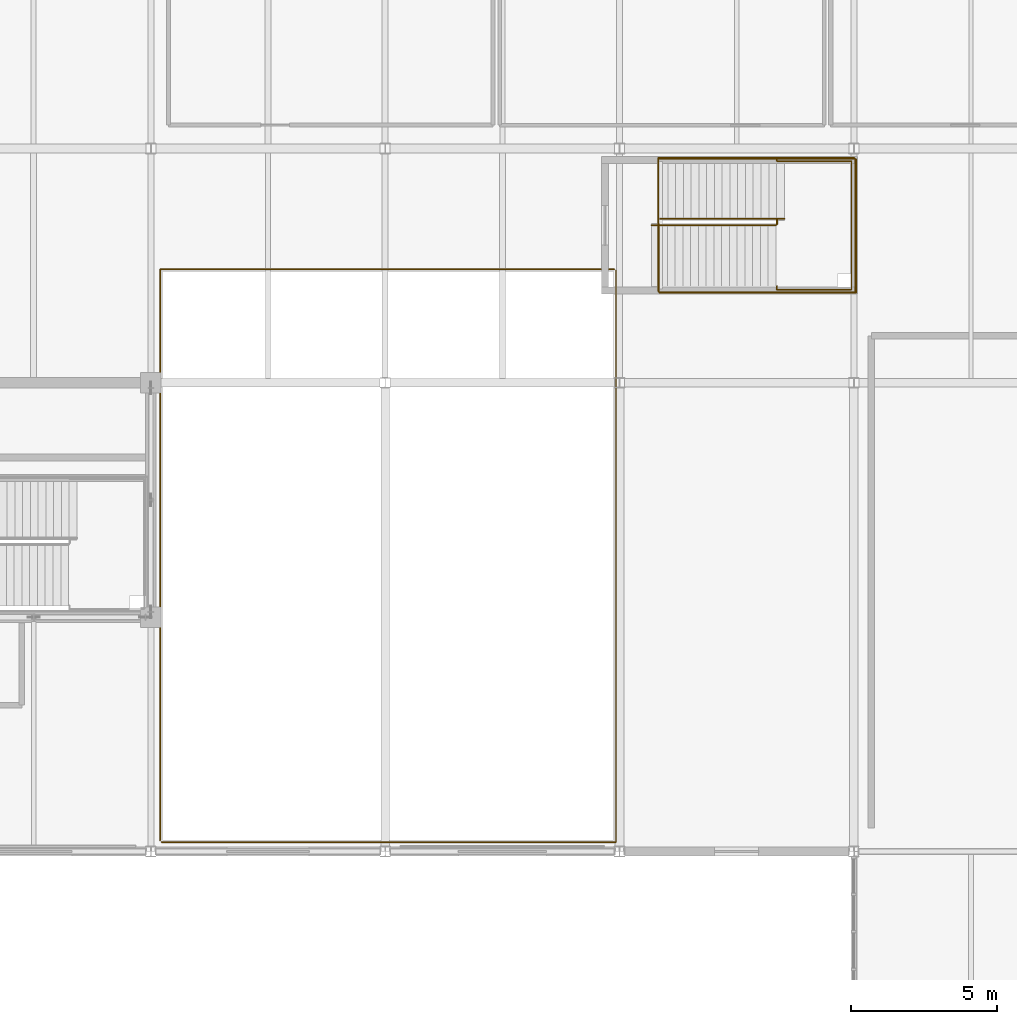
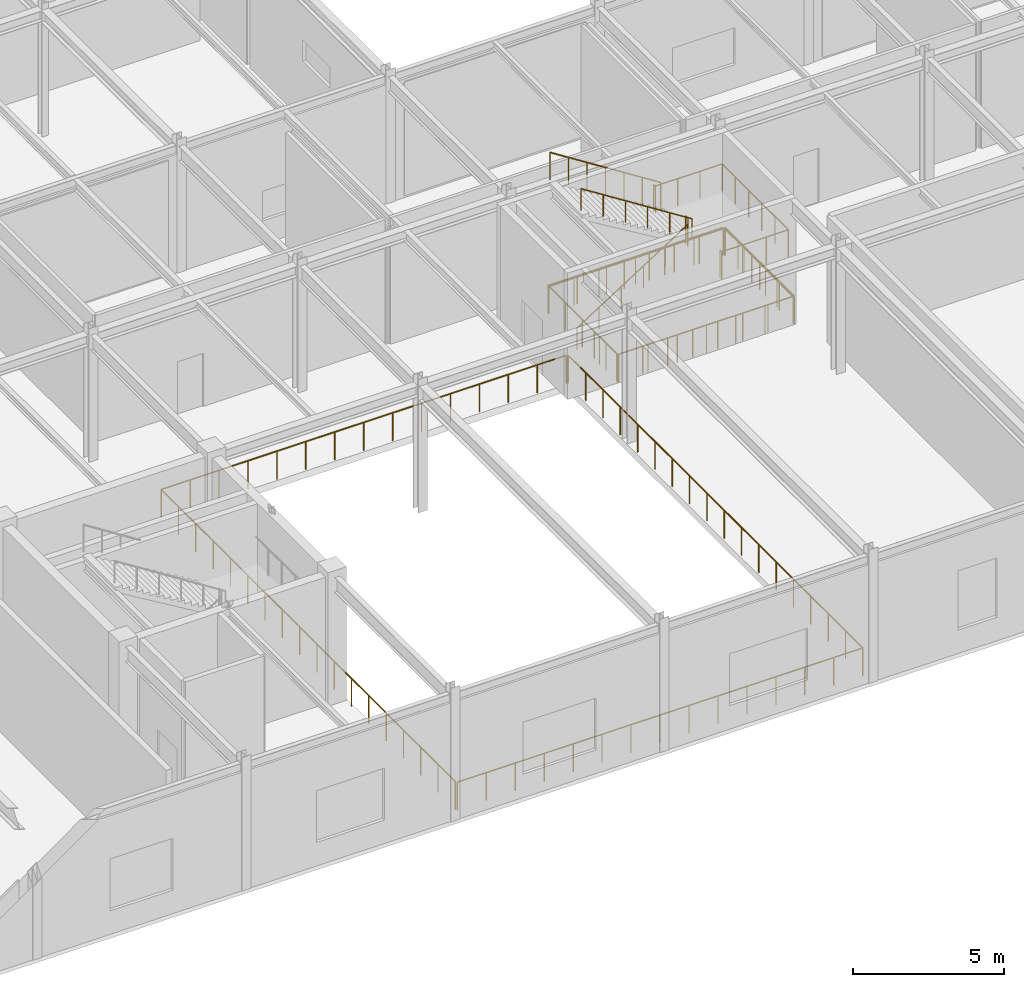
# One storey, part 180 of 184: 10 railings.
"""IFC4 building model written with IfcOpenShell, lengths in metres."""

import ifcopenshell
import ifcopenshell.guid

model = None  # the IFC model being written
_history = None  # IfcOwnerHistory: only IFC2X3 demands one
_inside = {}  # id of a spatial element -> (the spatial element, [elements in it])
_under = {}  # id of a project, library or spatial element -> (it, [spatial elements below it])
_declared = {}  # id of a project -> (the project, [libraries it declares])
_typed = {}  # id of a type object -> (the type object, [elements of that type])
_made_of = {}  # id of a material, layer set ... -> (it, [elements and type objects made of it])


def new_model(schema):
    """Start an empty IFC model of exactly this schema.

    Asked for "IFC4X3", IfcOpenShell would pick the latest addendum, in which some entities
    have other attributes; the version numbers below select the first issue.
    IFC2X3 requires an IfcOwnerHistory on every rooted entity: one is made here for all.
    """
    global model, _history
    if schema == "IFC4X3":
        model = ifcopenshell.file(schema_version=(4, 3, 0, 0))
    else:
        model = ifcopenshell.file(schema=schema)
    _inside.clear()
    _under.clear()
    _declared.clear()
    _typed.clear()
    _made_of.clear()
    _history = None
    if model.schema == "IFC2X3":
        org = make("IfcOrganization", Name="unknown")
        user = make(
            "IfcPersonAndOrganization",
            ThePerson=make("IfcPerson", FamilyName="unknown"),
            TheOrganization=org,
        )
        app = make(
            "IfcApplication",
            ApplicationDeveloper=org,
            Version="unknown",
            ApplicationFullName="unknown",
            ApplicationIdentifier="unknown",
        )
        _history = make(
            "IfcOwnerHistory",
            OwningUser=user,
            OwningApplication=app,
            ChangeAction="ADDED",
            CreationDate=0,
        )
    return model


def make(cls, **values):
    """One entity of the class cls with the attributes given. An attribute that is None is left unset."""
    return model.create_entity(
        cls, **{name: value for name, value in values.items() if value is not None}
    )


def rooted(cls, **values):
    """An entity with a GlobalId (a new one), such as an element, a storey or a relation."""
    return make(cls, GlobalId=ifcopenshell.guid.new(), OwnerHistory=_history, **values)


def si_unit(unit_type, name, prefix=None):
    """IfcSIUnit, for example si_unit("LENGTHUNIT", "METRE", prefix="MILLI")."""
    return make("IfcSIUnit", UnitType=unit_type, Prefix=prefix, Name=name)


def assignment(units):
    """IfcUnitAssignment: the units of a project."""
    return None if units is None else make("IfcUnitAssignment", Units=units)


def point(xyz):
    """IfcCartesianPoint."""
    return None if xyz is None else make("IfcCartesianPoint", Coordinates=xyz)


def direction(xyz):
    """IfcDirection."""
    return None if xyz is None else make("IfcDirection", DirectionRatios=xyz)


def frame(location, z_axis=None, x_axis=None):
    """IfcAxis2Placement3D, a coordinate frame: its origin and axes. An axis left out is left unset."""
    return make(
        "IfcAxis2Placement3D",
        Location=point(location),
        Axis=direction(z_axis),
        RefDirection=direction(x_axis),
    )


def frame_2d(location, x_axis=None):
    """IfcAxis2Placement2D, a coordinate frame in the plane: its origin and x axis."""
    return make(
        "IfcAxis2Placement2D", Location=point(location), RefDirection=direction(x_axis)
    )


def origin():
    """The frame at (0, 0, 0) with its axes left unset."""
    return frame((0.0, 0.0, 0.0))


def origin_2d():
    """The frame at (0, 0) in the plane with its x axis left unset."""
    return frame_2d((0.0, 0.0))


def place(relative_to, where):
    """IfcLocalPlacement: puts the frame where relative to a parent placement (None: the world)."""
    return make(
        "IfcLocalPlacement", PlacementRelTo=relative_to, RelativePlacement=where
    )


def context(
    kind, dimensions, precision=None, world=None, true_north=None, identifier=None
):
    """IfcGeometricRepresentationContext, for example the 3D "Model" context."""
    return make(
        "IfcGeometricRepresentationContext",
        ContextIdentifier=identifier,
        ContextType=kind,
        CoordinateSpaceDimension=dimensions,
        Precision=precision,
        WorldCoordinateSystem=world,
        TrueNorth=true_north,
    )


def subcontext(parent, identifier, kind, view, scale=None):
    """IfcGeometricRepresentationSubContext, for example "Body" below "Model"."""
    return make(
        "IfcGeometricRepresentationSubContext",
        ContextIdentifier=identifier,
        ContextType=kind,
        ParentContext=parent,
        TargetScale=scale,
        TargetView=view,
    )


def project(units=None, contexts=None):
    """IfcProject with its units and contexts."""
    return rooted(
        "IfcProject",
        Name="project",
        RepresentationContexts=contexts,
        UnitsInContext=assignment(units),
    )


def spatial(cls, under=None, at=None, **own):
    """A site, building, storey or space (cls), placed at a placement, below another one or the project."""
    s = rooted(cls, ObjectPlacement=at, **own)
    if under is not None:
        _under.setdefault(under.id(), (under, []))[1].append(s)
    return s


def profile(cls, at=None, kind="AREA", **sizes):
    """A parametric profile (cls). Its sizes go by their IFC names, for example OverallWidth=200.0."""
    return make(cls, ProfileType=kind, Position=at, **sizes)


def circle(**sizes):
    """IfcCircleProfileDef."""
    return profile("IfcCircleProfileDef", **sizes)


def extrude(swept, where, along, depth):
    """IfcExtrudedAreaSolid: the profile swept, set in the frame where, extruded along a direction by depth."""
    return make(
        "IfcExtrudedAreaSolid",
        SweptArea=swept,
        Position=where,
        ExtrudedDirection=direction(along),
        Depth=depth,
    )


def shape(context_of_items, identifier, shape_type, items):
    """IfcShapeRepresentation: the items that make up one representation, for example the "Body"."""
    return make(
        "IfcShapeRepresentation",
        ContextOfItems=context_of_items,
        RepresentationIdentifier=identifier,
        RepresentationType=shape_type,
        Items=items,
    )


def material(Name=None, Category=None):
    """IfcMaterial."""
    return make("IfcMaterial", Name=Name, Category=Category)


def made_of(thing, what):
    """Note that an element or type object is made of a material, layer set ...; save() writes the relation."""
    if what is not None:
        _made_of.setdefault(what.id(), (what, []))[1].append(thing)
    return thing


def type_object(cls, material=None, **own):
    """A type object (cls), such as IfcWallType, which elements share."""
    return made_of(rooted(cls, **own), material)


def element(
    cls,
    number,
    at=None,
    inside=None,
    cuts=None,
    type_object=None,
    material=None,
    context=None,
    identifier="Body",
    shape_type=None,
    held_by="IfcProductDefinitionShape",
    body=None,
    shapes=None,
    **own,
):
    """One element of the class cls, such as IfcWall. Its Tag is "e" and its number.

    at: its placement. inside: the storey or other place that contains it. cuts: it is an
    opening in that element (IfcRelVoidsElement). A single representation is given by context,
    identifier, shape_type and body (its items); several are given by shapes. held_by: the class
    of the entity that holds the representations. save() writes the other relations.
    """
    e = rooted(cls, Tag="e%d" % number, ObjectPlacement=at, **own)
    if body is not None:
        shapes = [shape(context, identifier, shape_type, body)]
    if shapes is not None:
        e.Representation = make(held_by, Representations=shapes)
    if inside is not None:
        _inside.setdefault(inside.id(), (inside, []))[1].append(e)
    if cuts is not None:
        rooted(
            "IfcRelVoidsElement", RelatingBuildingElement=cuts, RelatedOpeningElement=e
        )
    if type_object is not None:
        _typed.setdefault(type_object.id(), (type_object, []))[1].append(e)
    return made_of(e, material)


def aggregate(whole, parts):
    """IfcRelAggregates: a whole, such as a stair, and the parts it consists of."""
    return rooted("IfcRelAggregates", RelatingObject=whole, RelatedObjects=parts)


def save(model, path):
    """Write the relations noted so far, then the file.

    IfcRelAggregates (storeys below a building ...), IfcRelContainedInSpatialStructure (elements
    in a storey), IfcRelDefinesByType, IfcRelAssociatesMaterial and IfcRelDeclares: one each for
    every whole, place, type object, material and project.
    """
    for whole, parts in _under.values():
        aggregate(whole, parts)
    for where, things in _inside.values():
        rooted(
            "IfcRelContainedInSpatialStructure",
            RelatedElements=things,
            RelatingStructure=where,
        )
    for kind, things in _typed.values():
        rooted("IfcRelDefinesByType", RelatedObjects=things, RelatingType=kind)
    for what, things in _made_of.values():
        rooted("IfcRelAssociatesMaterial", RelatedObjects=things, RelatingMaterial=what)
    for by, libraries in _declared.values():
        rooted("IfcRelDeclares", RelatingContext=by, RelatedDefinitions=libraries)
    model.write(path)


model = new_model("IFC4")

# Units and contexts
model_context = context("Model", 3, precision=1e-05, world=origin(), true_north=direction((0.0, 1.0)))
body_context = subcontext(model_context, "Body", "Model", "MODEL_VIEW")
ifc_project = project(units=[si_unit("LENGTHUNIT", "METRE"), si_unit("AREAUNIT", "SQUARE_METRE"), si_unit("VOLUMEUNIT", "CUBIC_METRE"), si_unit("PLANEANGLEUNIT", "RADIAN"), si_unit("MASSUNIT", "GRAM", prefix="KILO")], contexts=[model_context])

# Site, building, storey
site_placement = place(None, origin())
site = spatial("IfcSite", under=ifc_project, at=site_placement, CompositionType="ELEMENT")
building_placement = place(site_placement, origin())
building = spatial("IfcBuilding", under=site, at=building_placement, Name="Zhaolan Boulevard Law Courts", CompositionType="ELEMENT")
storey_placement = place(building_placement, frame((0.0, 0.0, 5.39990234375)))
storey = spatial("IfcBuildingStorey", under=building, at=storey_placement, Name="L01", CompositionType="ELEMENT", Elevation=5.39990234375)

# Railings
ifc_material_1 = material(Name="Powder-coated steel and tempered laminated glass", Category="steel")
railing_type_1 = type_object("IfcRailingType", Name="INTERIOR GUARDRAIL 1150", PredefinedType="GUARDRAIL", material=ifc_material_1)
railing_1_placement = place(storey_placement, frame((109.360107421875, 81.070068359375, 0.0)))
element("IfcRailing", 1, at=railing_1_placement, inside=storey, type_object=railing_type_1, Name="Atrium Gallery Guardrail VG-1-V2-4A", PredefinedType="GUARDRAIL", context=body_context, shape_type="SweptSolid", body=[
    extrude(circle(Radius=0.02490234375, at=origin_2d()), frame((0.0, 0.0, 1.125), z_axis=(1.0, 0.0, 0.0), x_axis=(0.0, 1.0, 0.0)), (0.0, 0.0, 1.0), 6.719970703125),
    extrude(circle(Radius=0.02490234375, at=origin_2d()), frame((6.719970703125, 0.0, 1.125), z_axis=(0.0, 1.0, 0.0), x_axis=(-1.0, 0.0, 0.0)), (0.0, 0.0, 1.0), 4.56982421875),
    extrude(circle(Radius=0.02099609375, at=origin_2d()), origin(), (0.0, 0.0, 1.0), 1.099853515625),
    extrude(circle(Radius=0.02099609375, at=origin_2d()), frame((1.1201171875, 0.0, 0.0)), (0.0, 0.0, 1.0), 1.099853515625),
    extrude(circle(Radius=0.02099609375, at=origin_2d()), frame((2.239990234375, 0.0, 0.0)), (0.0, 0.0, 1.0), 1.099853515625),
    extrude(circle(Radius=0.02099609375, at=origin_2d()), frame((3.35986328125, 0.0, 0.0)), (0.0, 0.0, 1.0), 1.099853515625),
    extrude(circle(Radius=0.02099609375, at=origin_2d()), frame((4.47998046875, 0.0, 0.0)), (0.0, 0.0, 1.0), 1.099853515625),
    extrude(circle(Radius=0.02099609375, at=origin_2d()), frame((5.60009765625, 0.0, 0.0)), (0.0, 0.0, 1.0), 1.099853515625),
    extrude(circle(Radius=0.02099609375, at=origin_2d()), frame((6.719970703125, 0.0, 0.0)), (0.0, 0.0, 1.0), 1.099853515625),
    extrude(circle(Radius=0.02099609375, at=origin_2d()), frame((6.719970703125, 1.142578125, 0.0)), (0.0, 0.0, 1.0), 1.099853515625),
    extrude(circle(Radius=0.02099609375, at=origin_2d()), frame((6.719970703125, 2.284912109375, 0.0)), (0.0, 0.0, 1.0), 1.099853515625),
    extrude(circle(Radius=0.02099609375, at=origin_2d()), frame((6.719970703125, 3.42724609375, 0.0)), (0.0, 0.0, 1.0), 1.099853515625),
    extrude(circle(Radius=0.02099609375, at=origin_2d()), frame((6.719970703125, 4.56982421875, 0.0)), (0.0, 0.0, 1.0), 1.099853515625),
])
railing_2_placement = place(storey_placement, frame((116.02001953125, 85.679931640625, 0.0)))
element("IfcRailing", 2, at=railing_2_placement, inside=storey, type_object=railing_type_1, Name="Atrium Gallery Guardrail VG-1-V2-4B", PredefinedType="GUARDRAIL", context=body_context, shape_type="SweptSolid", body=[
    extrude(circle(Radius=0.02490234375, at=origin_2d()), frame((0.0, 0.0, 1.125), z_axis=(-1.0, 0.0, 0.0), x_axis=(0.0, -1.0, 0.0)), (0.0, 0.0, 1.0), 6.699951171875),
    extrude(circle(Radius=0.02490234375, at=origin_2d()), frame((-6.699951171875, 0.0, 1.125), z_axis=(0.0, -1.0, 0.0), x_axis=(1.0, 0.0, 0.0)), (0.0, 0.0, 1.0), 4.550048828125),
    extrude(circle(Radius=0.02099609375, at=origin_2d()), origin(), (0.0, 0.0, 1.0), 1.099853515625),
    extrude(circle(Radius=0.02099609375, at=origin_2d()), frame((-1.11669921875, 0.0, 0.0)), (0.0, 0.0, 1.0), 1.099853515625),
    extrude(circle(Radius=0.02099609375, at=origin_2d()), frame((-2.2333984375, 0.0, 0.0)), (0.0, 0.0, 1.0), 1.099853515625),
    extrude(circle(Radius=0.02099609375, at=origin_2d()), frame((-3.35009765625, 0.0, 0.0)), (0.0, 0.0, 1.0), 1.099853515625),
    extrude(circle(Radius=0.02099609375, at=origin_2d()), frame((-4.466552734375, 0.0, 0.0)), (0.0, 0.0, 1.0), 1.099853515625),
    extrude(circle(Radius=0.02099609375, at=origin_2d()), frame((-5.583251953125, 0.0, 0.0)), (0.0, 0.0, 1.0), 1.099853515625),
    extrude(circle(Radius=0.02099609375, at=origin_2d()), frame((-6.699951171875, 0.0, 0.0)), (0.0, 0.0, 1.0), 1.099853515625),
    extrude(circle(Radius=0.02099609375, at=origin_2d()), frame((-6.699951171875, -1.137451171875, 0.0)), (0.0, 0.0, 1.0), 1.099853515625),
    extrude(circle(Radius=0.02099609375, at=origin_2d()), frame((-6.699951171875, -2.27490234375, 0.0)), (0.0, 0.0, 1.0), 1.099853515625),
    extrude(circle(Radius=0.02099609375, at=origin_2d()), frame((-6.699951171875, -3.41259765625, 0.0)), (0.0, 0.0, 1.0), 1.099853515625),
    extrude(circle(Radius=0.02099609375, at=origin_2d()), frame((-6.699951171875, -4.550048828125, 0.0)), (0.0, 0.0, 1.0), 1.099853515625),
])
railing_3_placement = place(storey_placement, frame((92.360107421875, 62.320068359375, 0.0)))
element("IfcRailing", 3, at=railing_3_placement, inside=storey, type_object=railing_type_1, Name="Atrium Gallery Guardrail VG-1-V2-6A", PredefinedType="GUARDRAIL", context=body_context, shape_type="SweptSolid", body=[
    extrude(circle(Radius=0.02490234375, at=origin_2d()), frame((0.0, 0.0, 1.125), z_axis=(1.0, 0.0, 0.0), x_axis=(0.0, 1.0, 0.0)), (0.0, 0.0, 1.0), 15.519775390625),
    extrude(circle(Radius=0.02490234375, at=origin_2d()), frame((15.519775390625, 0.0, 1.125), z_axis=(0.0, 1.0, 0.0), x_axis=(-1.0, 0.0, 0.0)), (0.0, 0.0, 1.0), 19.52001953125),
    extrude(circle(Radius=0.02099609375, at=origin_2d()), origin(), (0.0, 0.0, 1.0), 1.099853515625),
    extrude(circle(Radius=0.02099609375, at=origin_2d()), frame((1.108642578125, 0.0, 0.0)), (0.0, 0.0, 1.0), 1.099853515625),
    extrude(circle(Radius=0.02099609375, at=origin_2d()), frame((2.217041015625, 0.0, 0.0)), (0.0, 0.0, 1.0), 1.099853515625),
    extrude(circle(Radius=0.02099609375, at=origin_2d()), frame((3.32568359375, 0.0, 0.0)), (0.0, 0.0, 1.0), 1.099853515625),
    extrude(circle(Radius=0.02099609375, at=origin_2d()), frame((4.434326171875, 0.0, 0.0)), (0.0, 0.0, 1.0), 1.099853515625),
    extrude(circle(Radius=0.02099609375, at=origin_2d()), frame((5.542724609375, 0.0, 0.0)), (0.0, 0.0, 1.0), 1.099853515625),
    extrude(circle(Radius=0.02099609375, at=origin_2d()), frame((6.6513671875, 0.0, 0.0)), (0.0, 0.0, 1.0), 1.099853515625),
    extrude(circle(Radius=0.02099609375, at=origin_2d()), frame((7.759765625, 0.0, 0.0)), (0.0, 0.0, 1.0), 1.099853515625),
    extrude(circle(Radius=0.02099609375, at=origin_2d()), frame((8.868408203125, 0.0, 0.0)), (0.0, 0.0, 1.0), 1.099853515625),
    extrude(circle(Radius=0.02099609375, at=origin_2d()), frame((9.97705078125, 0.0, 0.0)), (0.0, 0.0, 1.0), 1.099853515625),
    extrude(circle(Radius=0.02099609375, at=origin_2d()), frame((11.08544921875, 0.0, 0.0)), (0.0, 0.0, 1.0), 1.099853515625),
    extrude(circle(Radius=0.02099609375, at=origin_2d()), frame((12.194091796875, 0.0, 0.0)), (0.0, 0.0, 1.0), 1.099853515625),
    extrude(circle(Radius=0.02099609375, at=origin_2d()), frame((13.302734375, 0.0, 0.0)), (0.0, 0.0, 1.0), 1.099853515625),
    extrude(circle(Radius=0.02099609375, at=origin_2d()), frame((14.4111328125, 0.0, 0.0)), (0.0, 0.0, 1.0), 1.099853515625),
    extrude(circle(Radius=0.02099609375, at=origin_2d()), frame((15.519775390625, 0.0, 0.0)), (0.0, 0.0, 1.0), 1.099853515625),
    extrude(circle(Radius=0.02099609375, at=origin_2d()), frame((15.519775390625, 1.148193359375, 0.0)), (0.0, 0.0, 1.0), 1.099853515625),
    extrude(circle(Radius=0.02099609375, at=origin_2d()), frame((15.519775390625, 2.29638671875, 0.0)), (0.0, 0.0, 1.0), 1.099853515625),
    extrude(circle(Radius=0.02099609375, at=origin_2d()), frame((15.519775390625, 3.44482421875, 0.0)), (0.0, 0.0, 1.0), 1.099853515625),
    extrude(circle(Radius=0.02099609375, at=origin_2d()), frame((15.519775390625, 4.593017578125, 0.0)), (0.0, 0.0, 1.0), 1.099853515625),
    extrude(circle(Radius=0.02099609375, at=origin_2d()), frame((15.519775390625, 5.7412109375, 0.0)), (0.0, 0.0, 1.0), 1.099853515625),
    extrude(circle(Radius=0.02099609375, at=origin_2d()), frame((15.519775390625, 6.889404296875, 0.0)), (0.0, 0.0, 1.0), 1.099853515625),
    extrude(circle(Radius=0.02099609375, at=origin_2d()), frame((15.519775390625, 8.03759765625, 0.0)), (0.0, 0.0, 1.0), 1.099853515625),
    extrude(circle(Radius=0.02099609375, at=origin_2d()), frame((15.519775390625, 9.185791015625, 0.0)), (0.0, 0.0, 1.0), 1.099853515625),
    extrude(circle(Radius=0.02099609375, at=origin_2d()), frame((15.519775390625, 10.334228515625, 0.0)), (0.0, 0.0, 1.0), 1.099853515625),
    extrude(circle(Radius=0.02099609375, at=origin_2d()), frame((15.519775390625, 11.482421875, 0.0)), (0.0, 0.0, 1.0), 1.099853515625),
    extrude(circle(Radius=0.02099609375, at=origin_2d()), frame((15.519775390625, 12.630615234375, 0.0)), (0.0, 0.0, 1.0), 1.099853515625),
    extrude(circle(Radius=0.02099609375, at=origin_2d()), frame((15.519775390625, 13.77880859375, 0.0)), (0.0, 0.0, 1.0), 1.099853515625),
    extrude(circle(Radius=0.02099609375, at=origin_2d()), frame((15.519775390625, 14.927001953125, 0.0)), (0.0, 0.0, 1.0), 1.099853515625),
    extrude(circle(Radius=0.02099609375, at=origin_2d()), frame((15.519775390625, 16.0751953125, 0.0)), (0.0, 0.0, 1.0), 1.099853515625),
    extrude(circle(Radius=0.02099609375, at=origin_2d()), frame((15.519775390625, 17.2236328125, 0.0)), (0.0, 0.0, 1.0), 1.099853515625),
    extrude(circle(Radius=0.02099609375, at=origin_2d()), frame((15.519775390625, 18.371826171875, 0.0)), (0.0, 0.0, 1.0), 1.099853515625),
    extrude(circle(Radius=0.02099609375, at=origin_2d()), frame((15.519775390625, 19.52001953125, 0.0)), (0.0, 0.0, 1.0), 1.099853515625),
])
railing_4_placement = place(storey_placement, frame((107.820068359375, 81.8798828125, 0.0)))
element("IfcRailing", 4, at=railing_4_placement, inside=storey, type_object=railing_type_1, Name="Atrium Gallery Guardrail VG-1-V2-6B", PredefinedType="GUARDRAIL", context=body_context, shape_type="SweptSolid", body=[
    extrude(circle(Radius=0.02490234375, at=origin_2d()), frame((0.0, 0.0, 1.125), z_axis=(-1.0, 0.0, 0.0), x_axis=(0.0, -1.0, 0.0)), (0.0, 0.0, 1.0), 15.5),
    extrude(circle(Radius=0.02490234375, at=origin_2d()), frame((-15.5, 0.0, 1.125), z_axis=(0.0, -1.0, 0.0), x_axis=(1.0, 0.0, 0.0)), (0.0, 0.0, 1.0), 19.5),
    extrude(circle(Radius=0.02099609375, at=origin_2d()), origin(), (0.0, 0.0, 1.0), 1.099853515625),
    extrude(circle(Radius=0.02099609375, at=origin_2d()), frame((-1.107177734375, 0.0, 0.0)), (0.0, 0.0, 1.0), 1.099853515625),
    extrude(circle(Radius=0.02099609375, at=origin_2d()), frame((-2.21435546875, 0.0, 0.0)), (0.0, 0.0, 1.0), 1.099853515625),
    extrude(circle(Radius=0.02099609375, at=origin_2d()), frame((-3.321533203125, 0.0, 0.0)), (0.0, 0.0, 1.0), 1.099853515625),
    extrude(circle(Radius=0.02099609375, at=origin_2d()), frame((-4.428466796875, 0.0, 0.0)), (0.0, 0.0, 1.0), 1.099853515625),
    extrude(circle(Radius=0.02099609375, at=origin_2d()), frame((-5.53564453125, 0.0, 0.0)), (0.0, 0.0, 1.0), 1.099853515625),
    extrude(circle(Radius=0.02099609375, at=origin_2d()), frame((-6.642822265625, 0.0, 0.0)), (0.0, 0.0, 1.0), 1.099853515625),
    extrude(circle(Radius=0.02099609375, at=origin_2d()), frame((-7.75, 0.0, 0.0)), (0.0, 0.0, 1.0), 1.099853515625),
    extrude(circle(Radius=0.02099609375, at=origin_2d()), frame((-8.857177734375, 0.0, 0.0)), (0.0, 0.0, 1.0), 1.099853515625),
    extrude(circle(Radius=0.02099609375, at=origin_2d()), frame((-9.96435546875, 0.0, 0.0)), (0.0, 0.0, 1.0), 1.099853515625),
    extrude(circle(Radius=0.02099609375, at=origin_2d()), frame((-11.071533203125, 0.0, 0.0)), (0.0, 0.0, 1.0), 1.099853515625),
    extrude(circle(Radius=0.02099609375, at=origin_2d()), frame((-12.178466796875, 0.0, 0.0)), (0.0, 0.0, 1.0), 1.099853515625),
    extrude(circle(Radius=0.02099609375, at=origin_2d()), frame((-13.28564453125, 0.0, 0.0)), (0.0, 0.0, 1.0), 1.099853515625),
    extrude(circle(Radius=0.02099609375, at=origin_2d()), frame((-14.392822265625, 0.0, 0.0)), (0.0, 0.0, 1.0), 1.099853515625),
    extrude(circle(Radius=0.02099609375, at=origin_2d()), frame((-15.5, 0.0, 0.0)), (0.0, 0.0, 1.0), 1.099853515625),
    extrude(circle(Radius=0.02099609375, at=origin_2d()), frame((-15.5, -1.14697265625, 0.0)), (0.0, 0.0, 1.0), 1.099853515625),
    extrude(circle(Radius=0.02099609375, at=origin_2d()), frame((-15.5, -2.294189453125, 0.0)), (0.0, 0.0, 1.0), 1.099853515625),
    extrude(circle(Radius=0.02099609375, at=origin_2d()), frame((-15.5, -3.441162109375, 0.0)), (0.0, 0.0, 1.0), 1.099853515625),
    extrude(circle(Radius=0.02099609375, at=origin_2d()), frame((-15.5, -4.588134765625, 0.0)), (0.0, 0.0, 1.0), 1.099853515625),
    extrude(circle(Radius=0.02099609375, at=origin_2d()), frame((-15.5, -5.7353515625, 0.0)), (0.0, 0.0, 1.0), 1.099853515625),
    extrude(circle(Radius=0.02099609375, at=origin_2d()), frame((-15.5, -6.88232421875, 0.0)), (0.0, 0.0, 1.0), 1.099853515625),
    extrude(circle(Radius=0.02099609375, at=origin_2d()), frame((-15.5, -8.029296875, 0.0)), (0.0, 0.0, 1.0), 1.099853515625),
    extrude(circle(Radius=0.02099609375, at=origin_2d()), frame((-15.5, -9.176513671875, 0.0)), (0.0, 0.0, 1.0), 1.099853515625),
    extrude(circle(Radius=0.02099609375, at=origin_2d()), frame((-15.5, -10.323486328125, 0.0)), (0.0, 0.0, 1.0), 1.099853515625),
    extrude(circle(Radius=0.02099609375, at=origin_2d()), frame((-15.5, -11.470703125, 0.0)), (0.0, 0.0, 1.0), 1.099853515625),
    extrude(circle(Radius=0.02099609375, at=origin_2d()), frame((-15.5, -12.61767578125, 0.0)), (0.0, 0.0, 1.0), 1.099853515625),
    extrude(circle(Radius=0.02099609375, at=origin_2d()), frame((-15.5, -13.7646484375, 0.0)), (0.0, 0.0, 1.0), 1.099853515625),
    extrude(circle(Radius=0.02099609375, at=origin_2d()), frame((-15.5, -14.911865234375, 0.0)), (0.0, 0.0, 1.0), 1.099853515625),
    extrude(circle(Radius=0.02099609375, at=origin_2d()), frame((-15.5, -16.058837890625, 0.0)), (0.0, 0.0, 1.0), 1.099853515625),
    extrude(circle(Radius=0.02099609375, at=origin_2d()), frame((-15.5, -17.205810546875, 0.0)), (0.0, 0.0, 1.0), 1.099853515625),
    extrude(circle(Radius=0.02099609375, at=origin_2d()), frame((-15.5, -18.35302734375, 0.0)), (0.0, 0.0, 1.0), 1.099853515625),
    extrude(circle(Radius=0.02099609375, at=origin_2d()), frame((-15.5, -19.5, 0.0)), (0.0, 0.0, 1.0), 1.099853515625),
])
ifc_material_2 = material(Name="Brushed stainless steel tubular handrail", Category="steel")
railing_type_2 = type_object("IfcRailingType", Name="STAIR HANDRAIL 900", PredefinedType="HANDRAIL", material=ifc_material_2)
railing_5_placement = place(storey_placement, frame((109.10009765625, 83.3798828125, 0.0)))
element("IfcRailing", 5, at=railing_5_placement, inside=storey, type_object=railing_type_2, Name="Stair Handrail HR-ST13-L01-1", PredefinedType="HANDRAIL", context=body_context, shape_type="SweptSolid", body=[
    extrude(circle(Radius=0.0224609375, at=origin_2d()), frame((0.0, 0.0, 0.87744140625), z_axis=(0.843479452326, 0.0, 0.53716144082), x_axis=(0.0, 1.0, 0.0)), (0.0, 0.0, 1.0), 5.02685546875),
    extrude(circle(Radius=0.01904296875, at=origin_2d()), origin(), (0.0, 0.0, 1.0), 0.85498046875),
    extrude(circle(Radius=0.01904296875, at=origin_2d()), frame((0.847900390625, 0.0, 0.5400390625)), (0.0, 0.0, 1.0), 0.85498046875),
    extrude(circle(Radius=0.01904296875, at=origin_2d()), frame((1.696044921875, 0.0, 1.080078125)), (0.0, 0.0, 1.0), 0.85498046875),
    extrude(circle(Radius=0.01904296875, at=origin_2d()), frame((2.5439453125, 0.0, 1.6201171875)), (0.0, 0.0, 1.0), 0.85498046875),
    extrude(circle(Radius=0.01904296875, at=origin_2d()), frame((3.39208984375, 0.0, 2.16015625)), (0.0, 0.0, 1.0), 0.85498046875),
    extrude(circle(Radius=0.01904296875, at=origin_2d()), frame((4.239990234375, 0.0, 2.7001953125)), (0.0, 0.0, 1.0), 0.85498046875),
])
railing_6_placement = place(storey_placement, frame((113.625, 83.60009765625, 2.7001953125)))
element("IfcRailing", 6, at=railing_6_placement, inside=storey, type_object=railing_type_2, Name="Stair Handrail HR-ST13-L01-2", PredefinedType="HANDRAIL", context=body_context, shape_type="SweptSolid", body=[
    extrude(circle(Radius=0.0224609375, at=origin_2d()), frame((0.0, 0.0, 0.87744140625), z_axis=(-0.843501457581, 0.0, 0.537126885437), x_axis=(0.0, -1.0, 0.0)), (0.0, 0.0, 1.0), 5.026611328125),
    extrude(circle(Radius=0.01904296875, at=origin_2d()), origin(), (0.0, 0.0, 1.0), 0.85498046875),
    extrude(circle(Radius=0.01904296875, at=origin_2d()), frame((-0.847900390625, 0.0, 0.5400390625)), (0.0, 0.0, 1.0), 0.85498046875),
    extrude(circle(Radius=0.01904296875, at=origin_2d()), frame((-1.696044921875, 0.0, 1.080078125)), (0.0, 0.0, 1.0), 0.85498046875),
    extrude(circle(Radius=0.01904296875, at=origin_2d()), frame((-2.5439453125, 0.0, 1.619873046875)), (0.0, 0.0, 1.0), 0.85498046875),
    extrude(circle(Radius=0.01904296875, at=origin_2d()), frame((-3.39208984375, 0.0, 2.159912109375)), (0.0, 0.0, 1.0), 0.85498046875),
    extrude(circle(Radius=0.01904296875, at=origin_2d()), frame((-4.239990234375, 0.0, 2.699951171875)), (0.0, 0.0, 1.0), 0.85498046875),
])
ifc_material_3 = material(Name="Powder-coated steel baluster guardrail", Category="steel")
railing_type_3 = type_object("IfcRailingType", Name="STAIR WELL GUARDRAIL 1120", PredefinedType="GUARDRAIL", material=ifc_material_3)
railing_7_placement = place(storey_placement, frame((109.340087890625, 83.429931640625, 0.0)))
element("IfcRailing", 7, at=railing_7_placement, inside=storey, type_object=railing_type_3, Name="Stair-Well Floor Guardrail WG-ST13-L00", PredefinedType="GUARDRAIL", context=body_context, shape_type="SweptSolid", body=[
    extrude(circle(Radius=0.02392578125, at=origin_2d()), frame((0.0, 0.0, 1.09619140625), z_axis=(0.0, -1.0, 0.0), x_axis=(1.0, 0.0, 0.0)), (0.0, 0.0, 1.0), 2.329833984375),
    extrude(circle(Radius=0.02392578125, at=origin_2d()), frame((0.0, -2.329833984375, 1.09619140625), z_axis=(1.0, 0.0, 0.0), x_axis=(0.0, 1.0, 0.0)), (0.0, 0.0, 1.0), 6.7099609375),
    extrude(circle(Radius=0.02392578125, at=origin_2d()), frame((6.7099609375, -2.329833984375, 1.09619140625), z_axis=(0.0, 1.0, 0.0), x_axis=(-1.0, 0.0, 0.0)), (0.0, 0.0, 1.0), 4.5498046875),
    extrude(circle(Radius=0.02392578125, at=origin_2d()), frame((6.7099609375, 2.219970703125, 1.09619140625), z_axis=(-1.0, 0.0, 0.0), x_axis=(0.0, -1.0, 0.0)), (0.0, 0.0, 1.0), 6.7099609375),
    extrude(circle(Radius=0.02392578125, at=origin_2d()), frame((0.0, 2.219970703125, 1.09619140625), z_axis=(0.0, 1.0, 0.0), x_axis=(-1.0, 0.0, 0.0)), (0.0, 0.0, 1.0), 0.010009765625),
    extrude(circle(Radius=0.02099609375, at=origin_2d()), origin(), (0.0, 0.0, 1.0), 1.072021484375),
    extrude(circle(Radius=0.02099609375, at=origin_2d()), frame((0.0, -0.776611328125, 0.0)), (0.0, 0.0, 1.0), 1.072021484375),
    extrude(circle(Radius=0.02099609375, at=origin_2d()), frame((0.0, -1.55322265625, 0.0)), (0.0, 0.0, 1.0), 1.072021484375),
    extrude(circle(Radius=0.02099609375, at=origin_2d()), frame((0.0, -2.329833984375, 0.0)), (0.0, 0.0, 1.0), 1.072021484375),
    extrude(circle(Radius=0.02099609375, at=origin_2d()), frame((0.95849609375, -2.329833984375, 0.0)), (0.0, 0.0, 1.0), 1.072021484375),
    extrude(circle(Radius=0.02099609375, at=origin_2d()), frame((1.917236328125, -2.329833984375, 0.0)), (0.0, 0.0, 1.0), 1.072021484375),
    extrude(circle(Radius=0.02099609375, at=origin_2d()), frame((2.875732421875, -2.329833984375, 0.0)), (0.0, 0.0, 1.0), 1.072021484375),
    extrude(circle(Radius=0.02099609375, at=origin_2d()), frame((3.834228515625, -2.329833984375, 0.0)), (0.0, 0.0, 1.0), 1.072021484375),
    extrude(circle(Radius=0.02099609375, at=origin_2d()), frame((4.792724609375, -2.329833984375, 0.0)), (0.0, 0.0, 1.0), 1.072021484375),
    extrude(circle(Radius=0.02099609375, at=origin_2d()), frame((5.75146484375, -2.329833984375, 0.0)), (0.0, 0.0, 1.0), 1.072021484375),
    extrude(circle(Radius=0.02099609375, at=origin_2d()), frame((6.7099609375, -2.329833984375, 0.0)), (0.0, 0.0, 1.0), 1.072021484375),
    extrude(circle(Radius=0.02099609375, at=origin_2d()), frame((6.7099609375, -1.419921875, 0.0)), (0.0, 0.0, 1.0), 1.072021484375),
    extrude(circle(Radius=0.02099609375, at=origin_2d()), frame((6.7099609375, -0.510009765625, 0.0)), (0.0, 0.0, 1.0), 1.072021484375),
    extrude(circle(Radius=0.02099609375, at=origin_2d()), frame((6.7099609375, 0.400146484375, 0.0)), (0.0, 0.0, 1.0), 1.072021484375),
    extrude(circle(Radius=0.02099609375, at=origin_2d()), frame((6.7099609375, 1.31005859375, 0.0)), (0.0, 0.0, 1.0), 1.072021484375),
    extrude(circle(Radius=0.02099609375, at=origin_2d()), frame((6.7099609375, 2.219970703125, 0.0)), (0.0, 0.0, 1.0), 1.072021484375),
    extrude(circle(Radius=0.02099609375, at=origin_2d()), frame((5.75146484375, 2.219970703125, 0.0)), (0.0, 0.0, 1.0), 1.072021484375),
    extrude(circle(Radius=0.02099609375, at=origin_2d()), frame((4.792724609375, 2.219970703125, 0.0)), (0.0, 0.0, 1.0), 1.072021484375),
    extrude(circle(Radius=0.02099609375, at=origin_2d()), frame((3.834228515625, 2.219970703125, 0.0)), (0.0, 0.0, 1.0), 1.072021484375),
    extrude(circle(Radius=0.02099609375, at=origin_2d()), frame((2.875732421875, 2.219970703125, 0.0)), (0.0, 0.0, 1.0), 1.072021484375),
    extrude(circle(Radius=0.02099609375, at=origin_2d()), frame((1.917236328125, 2.219970703125, 0.0)), (0.0, 0.0, 1.0), 1.072021484375),
    extrude(circle(Radius=0.02099609375, at=origin_2d()), frame((0.95849609375, 2.219970703125, 0.0)), (0.0, 0.0, 1.0), 1.072021484375),
    extrude(circle(Radius=0.02099609375, at=origin_2d()), frame((0.0, 2.219970703125, 0.0)), (0.0, 0.0, 1.0), 1.072021484375),
    extrude(circle(Radius=0.02099609375, at=origin_2d()), frame((0.0, 2.22998046875, 0.0)), (0.0, 0.0, 1.0), 1.072021484375),
])
railing_8_placement = place(storey_placement, frame((113.3701171875, 81.300048828125, 2.7001953125)))
element("IfcRailing", 8, at=railing_8_placement, inside=storey, type_object=railing_type_3, Name="Half-Landing Guardrail SG-ST13-L01-M", PredefinedType="GUARDRAIL", context=body_context, shape_type="SweptSolid", body=[
    extrude(circle(Radius=0.02392578125, at=origin_2d()), frame((0.0, 0.0, 1.09619140625), z_axis=(0.0, -1.0, 0.0), x_axis=(1.0, 0.0, 0.0)), (0.0, 0.0, 1.0), 0.1201171875),
    extrude(circle(Radius=0.02392578125, at=origin_2d()), frame((0.0, -0.1201171875, 1.09619140625), z_axis=(1.0, 0.0, 0.0), x_axis=(0.0, 1.0, 0.0)), (0.0, 0.0, 1.0), 2.5498046875),
    extrude(circle(Radius=0.02392578125, at=origin_2d()), frame((2.5498046875, -0.1201171875, 1.09619140625), z_axis=(0.0, 1.0, 0.0), x_axis=(-1.0, 0.0, 0.0)), (0.0, 0.0, 1.0), 4.39013671875),
    extrude(circle(Radius=0.02392578125, at=origin_2d()), frame((2.5498046875, 4.27001953125, 1.09619140625), z_axis=(-1.0, 0.0, 0.0), x_axis=(0.0, -1.0, 0.0)), (0.0, 0.0, 1.0), 2.5498046875),
    extrude(circle(Radius=0.02392578125, at=origin_2d()), frame((0.0, 4.27001953125, 1.09619140625), z_axis=(0.0, 1.0, 0.0), x_axis=(-1.0, 0.0, 0.0)), (0.0, 0.0, 1.0), 0.10986328125),
    extrude(circle(Radius=0.02099609375, at=origin_2d()), origin(), (0.0, 0.0, 1.0), 1.072021484375),
    extrude(circle(Radius=0.02099609375, at=origin_2d()), frame((0.0, -0.1201171875, 0.0)), (0.0, 0.0, 1.0), 1.072021484375),
    extrude(circle(Radius=0.02099609375, at=origin_2d()), frame((0.849853515625, -0.1201171875, 0.0)), (0.0, 0.0, 1.0), 1.072021484375),
    extrude(circle(Radius=0.02099609375, at=origin_2d()), frame((1.699951171875, -0.1201171875, 0.0)), (0.0, 0.0, 1.0), 1.072021484375),
    extrude(circle(Radius=0.02099609375, at=origin_2d()), frame((2.5498046875, -0.1201171875, 0.0)), (0.0, 0.0, 1.0), 1.072021484375),
    extrude(circle(Radius=0.02099609375, at=origin_2d()), frame((2.5498046875, 0.7578125, 0.0)), (0.0, 0.0, 1.0), 1.072021484375),
    extrude(circle(Radius=0.02099609375, at=origin_2d()), frame((2.5498046875, 1.635986328125, 0.0)), (0.0, 0.0, 1.0), 1.072021484375),
    extrude(circle(Radius=0.02099609375, at=origin_2d()), frame((2.5498046875, 2.513916015625, 0.0)), (0.0, 0.0, 1.0), 1.072021484375),
    extrude(circle(Radius=0.02099609375, at=origin_2d()), frame((2.5498046875, 3.39208984375, 0.0)), (0.0, 0.0, 1.0), 1.072021484375),
    extrude(circle(Radius=0.02099609375, at=origin_2d()), frame((2.5498046875, 4.27001953125, 0.0)), (0.0, 0.0, 1.0), 1.072021484375),
    extrude(circle(Radius=0.02099609375, at=origin_2d()), frame((1.699951171875, 4.27001953125, 0.0)), (0.0, 0.0, 1.0), 1.072021484375),
    extrude(circle(Radius=0.02099609375, at=origin_2d()), frame((0.849853515625, 4.27001953125, 0.0)), (0.0, 0.0, 1.0), 1.072021484375),
    extrude(circle(Radius=0.02099609375, at=origin_2d()), frame((0.0, 4.27001953125, 0.0)), (0.0, 0.0, 1.0), 1.072021484375),
    extrude(circle(Radius=0.02099609375, at=origin_2d()), frame((0.0, 4.3798828125, 0.0)), (0.0, 0.0, 1.0), 1.072021484375),
])
railing_9_placement = place(storey_placement, frame((113.3701171875, 83.419921875, 2.7001953125)))
element("IfcRailing", 9, at=railing_9_placement, inside=storey, type_object=railing_type_3, Name="Half-Landing Well Guardrail SG-ST13-L01-W", PredefinedType="GUARDRAIL", context=body_context, shape_type="SweptSolid", body=[
    extrude(circle(Radius=0.02392578125, at=origin_2d()), frame((0.0, 0.0, 1.09619140625), z_axis=(0.0, 1.0, 0.0), x_axis=(-1.0, 0.0, 0.0)), (0.0, 0.0, 1.0), 0.14013671875),
    extrude(circle(Radius=0.02099609375, at=origin_2d()), origin(), (0.0, 0.0, 1.0), 1.072021484375),
    extrude(circle(Radius=0.02099609375, at=origin_2d()), frame((0.0, 0.14013671875, 0.0)), (0.0, 0.0, 1.0), 1.072021484375),
])
railing_10_placement = place(storey_placement, frame((113.625, 85.659912109375, 2.7001953125)))
element("IfcRailing", 10, at=railing_10_placement, inside=storey, type_object=railing_type_3, Name="Flight Guardrail SG-ST13-L01-F2", PredefinedType="GUARDRAIL", context=body_context, shape_type="SweptSolid", body=[
    extrude(circle(Radius=0.02392578125, at=origin_2d()), frame((0.0, 0.0, 1.09619140625), z_axis=(-0.843501457581, 0.0, 0.537126885437), x_axis=(0.0, -1.0, 0.0)), (0.0, 0.0, 1.0), 5.026611328125),
    extrude(circle(Radius=0.02099609375, at=origin_2d()), origin(), (0.0, 0.0, 1.0), 1.072021484375),
    extrude(circle(Radius=0.02099609375, at=origin_2d()), frame((-0.70654296875, 0.0, 0.449951171875)), (0.0, 0.0, 1.0), 1.072021484375),
    extrude(circle(Radius=0.02099609375, at=origin_2d()), frame((-1.413330078125, 0.0, 0.89990234375)), (0.0, 0.0, 1.0), 1.072021484375),
    extrude(circle(Radius=0.02099609375, at=origin_2d()), frame((-2.1201171875, 0.0, 1.35009765625)), (0.0, 0.0, 1.0), 1.072021484375),
    extrude(circle(Radius=0.02099609375, at=origin_2d()), frame((-2.82666015625, 0.0, 1.800048828125)), (0.0, 0.0, 1.0), 1.072021484375),
    extrude(circle(Radius=0.02099609375, at=origin_2d()), frame((-3.533203125, 0.0, 2.25)), (0.0, 0.0, 1.0), 1.072021484375),
    extrude(circle(Radius=0.02099609375, at=origin_2d()), frame((-4.239990234375, 0.0, 2.699951171875)), (0.0, 0.0, 1.0), 1.072021484375),
])

save(model, "model.ifc")
